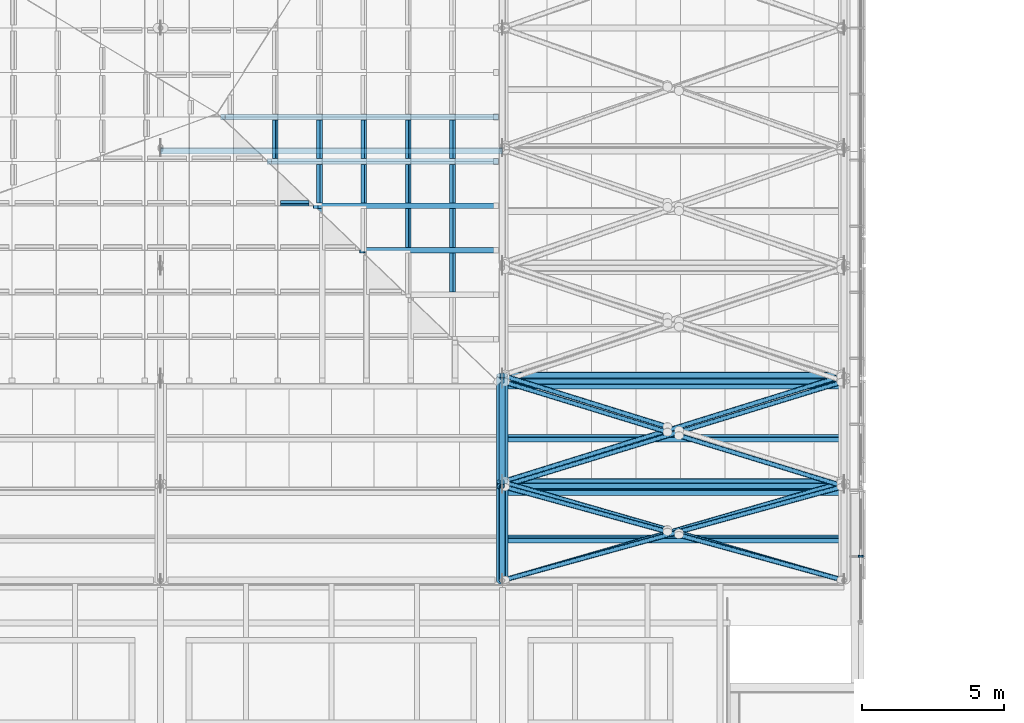
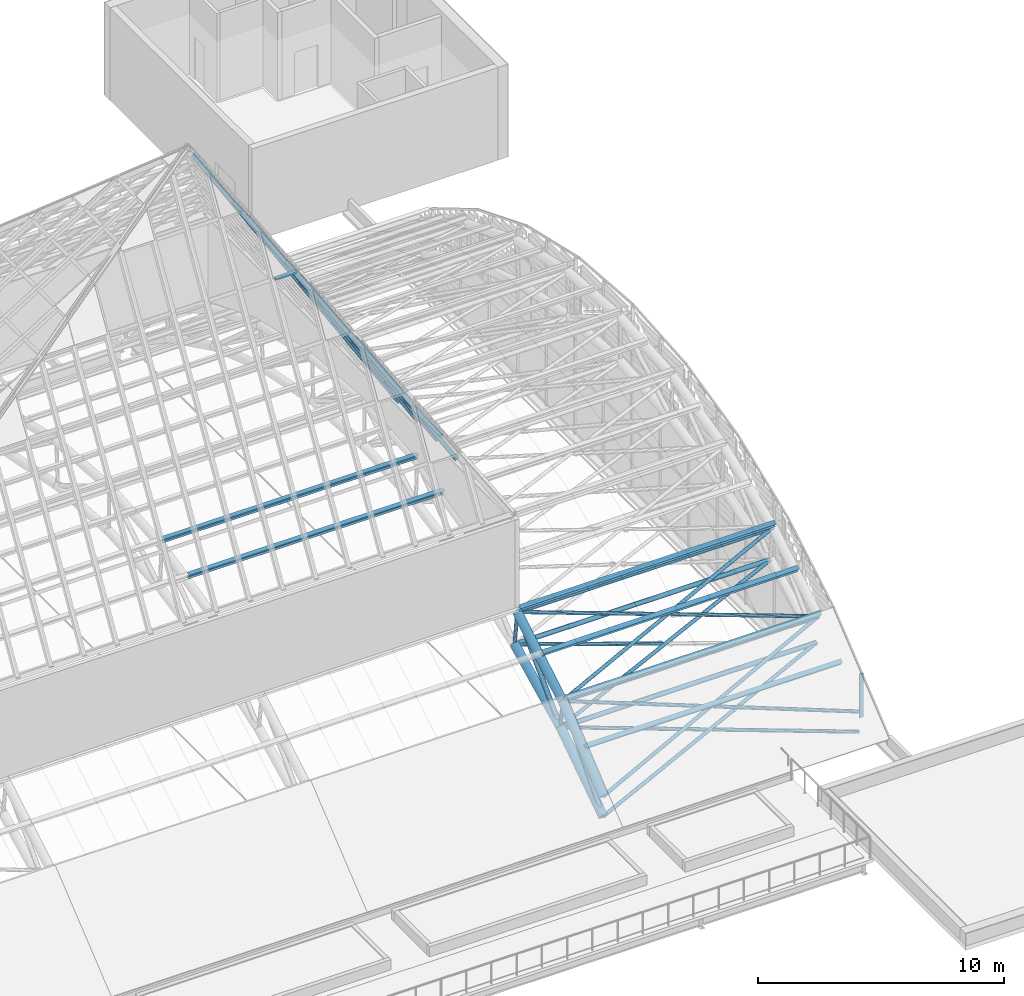
# One storey, part 29 of 110: 47 members, 1 element without a shape of its own.
"""IFC4 building model written with IfcOpenShell, lengths in metres."""

from ifc_helpers import new_model, si_unit, direction, frame, origin, origin_2d, place, context, subcontext, project, spatial, rectangle, hollow_rectangle, hollow_circle, i_section, extrude, material, layer, layer_set, material_profile, profile_set, type_object, element, aggregate, save


model = new_model("IFC4")

# Units and contexts
model_context = context("Model", 3, precision=1e-05, world=origin(), true_north=direction((0.0, 1.0)))
body_context = subcontext(model_context, "Body", "Model", "MODEL_VIEW")
ifc_project = project(units=[si_unit("LENGTHUNIT", "METRE"), si_unit("AREAUNIT", "SQUARE_METRE"), si_unit("VOLUMEUNIT", "CUBIC_METRE"), si_unit("PLANEANGLEUNIT", "RADIAN"), si_unit("MASSUNIT", "GRAM", prefix="KILO")], contexts=[model_context])

# Site, building, storey
site_placement = place(None, origin())
site = spatial("IfcSite", under=ifc_project, at=site_placement, CompositionType="ELEMENT")
building_placement = place(site_placement, origin())
building = spatial("IfcBuilding", under=site, at=building_placement, Name="Windward Yard Aquatics Centre", CompositionType="ELEMENT")
storey_placement = place(building_placement, frame((0.0, 0.0, 22.60009765625)))
storey = spatial("IfcBuildingStorey", under=building, at=storey_placement, Name="L05", CompositionType="ELEMENT", Elevation=22.60009765625)

# Curtain wall, member
ifc_material_1 = material(Name="Glass and aluminium curtain wall", Category="aluminium")
ifc_layer = layer(ifc_material_1, 0.179931640625)
ifc_layer_set = layer_set([ifc_layer], Name="H gable glazing system double glazed 8+16+8")
curtain_wall_type = type_object("IfcCurtainWallType", Name="H gable glazing system double glazed 8+16+8", PredefinedType="NOTDEFINED", material=ifc_layer_set)
curtain_wall_placement = place(storey_placement, origin())
curtain_wall = element("IfcCurtainWall", 1, at=curtain_wall_placement, inside=storey, type_object=curtain_wall_type, Name="Gable glazing E", PredefinedType="NOTDEFINED")
ifc_material_2 = material(Name="Aluminium 6063-T6 anodised", Category="aluminium")
ifc_material_profile_1 = material_profile(ifc_material_2, rectangle(XDim=0.06494140625, YDim=0.179931640625, at=origin_2d()), Name="H CW mullion 65x180")
ifc_profile_set_1 = profile_set([ifc_material_profile_1], Name="Aluminium 6063-T6 anodised")
member_type_1 = type_object("IfcMemberType", Name="H CW mullion 65x180", PredefinedType="MULLION", material=ifc_profile_set_1)
member_1_placement = place(storey_placement, frame((144.590087890625, 42.446044921875, 0.0), z_axis=(0.0, 0.0, 1.0), x_axis=(0.0, 1.0, 0.0)))
member_1 = element("IfcMember", 2, at=member_1_placement, type_object=member_type_1, Name="Gable mullion 2", PredefinedType="MULLION", context=body_context, shape_type="SweptSolid", body=[
    extrude(rectangle(XDim=0.06494140625, YDim=0.179931640625, at=origin_2d()), origin(), (0.0, 0.0, 1.0), 2.167724609375),
])
aggregate(curtain_wall, [member_1])

# Members
ifc_material_3 = material(Name="Steel ASTM A500 Gr C", Category="steel")
ifc_material_profile_2 = material_profile(ifc_material_3, hollow_circle(Radius=0.084228515625, WallThickness=0.010986328125, at=origin_2d()), Name="HSS168.3X11")
ifc_profile_set_2 = profile_set([ifc_material_profile_2], Name="Steel ASTM A500 Gr C")
member_type_2 = type_object("IfcMemberType", Name="H arch post HSS168.3X11", PredefinedType="POST", material=ifc_profile_set_2)
member_2_placement = place(storey_placement, frame((132.0, 45.064697265625, 2.319580078125), z_axis=(0.0, -0.111745510026, 0.993736857015), x_axis=(1.0, 0.0, 0.0)))
element("IfcMember", 3, at=member_2_placement, inside=storey, type_object=member_type_2, Name="H.AT.7.WP02", PredefinedType="POST", context=body_context, shape_type="SweptSolid", body=[
    extrude(hollow_circle(Radius=0.084228515625, WallThickness=0.010986328125, at=origin_2d()), origin(), (0.0, 0.0, 1.0), 1.406982421875),
])
member_3_placement = place(storey_placement, frame((132.0, 48.802734375, 4.16650390625), z_axis=(0.0, -0.121591772527, 0.992580193664), x_axis=(1.0, 0.0, 0.0)))
element("IfcMember", 4, at=member_3_placement, inside=storey, type_object=member_type_2, Name="H.AT.7.WP03", PredefinedType="POST", context=body_context, shape_type="SweptSolid", body=[
    extrude(hollow_circle(Radius=0.084228515625, WallThickness=0.010986328125, at=origin_2d()), origin(), (0.0, 0.0, 1.0), 1.746826171875),
])
ifc_material_profile_3 = material_profile(ifc_material_3, hollow_circle(Radius=0.203125, WallThickness=0.015869140625, at=origin_2d()), Name="HSS406.4X15.9")
ifc_profile_set_3 = profile_set([ifc_material_profile_3], Name="Steel ASTM A500 Gr C")
member_type_3 = type_object("IfcMemberType", Name="H arch top chord HSS406.4X15.9", PredefinedType="CHORD", material=ifc_profile_set_3)
member_4_placement = place(storey_placement, frame((132.0, 41.60009765625, 1.0), z_axis=(0.0, 0.772611352747, 0.634879277979), x_axis=(-1.0, 0.0, 0.0)))
element("IfcMember", 5, at=member_4_placement, inside=storey, type_object=member_type_3, Name="H.AT.7.TC01", PredefinedType="CHORD", context=body_context, shape_type="SweptSolid", body=[
    extrude(hollow_circle(Radius=0.203125, WallThickness=0.015869140625, at=origin_2d()), origin(), (0.0, 0.0, 1.0), 4.28076171875),
])
member_5_placement = place(storey_placement, frame((132.0, 41.60009765625, 0.0), z_axis=(0.0, 0.83095865789, 0.556334170151), x_axis=(-1.0, 0.0, 0.0)))
element("IfcMember", 6, at=member_5_placement, inside=storey, type_object=member_type_3, Name="H.AT.7.BC01", PredefinedType="CHORD", context=body_context, shape_type="SweptSolid", body=[
    extrude(hollow_circle(Radius=0.203125, WallThickness=0.015869140625, at=origin_2d()), origin(), (0.0, 0.0, 1.0), 4.16943359375),
])
member_6_placement = place(storey_placement, frame((132.0, 44.907470703125, 3.7177734375), z_axis=(0.0, 0.860273006082, 0.509833654251), x_axis=(-1.0, 0.0, 0.0)))
element("IfcMember", 7, at=member_6_placement, inside=storey, type_object=member_type_3, Name="H.AT.7.TC02", PredefinedType="CHORD", context=body_context, shape_type="SweptSolid", body=[
    extrude(hollow_circle(Radius=0.203125, WallThickness=0.015869140625, at=origin_2d()), origin(), (0.0, 0.0, 1.0), 4.281005859375),
])
member_7_placement = place(storey_placement, frame((132.0, 45.064697265625, 2.319580078125), z_axis=(0.0, 0.896536837976, 0.4429691842), x_axis=(-1.0, 0.0, 0.0)))
element("IfcMember", 8, at=member_7_placement, inside=storey, type_object=member_type_3, Name="H.AT.7.BC02", PredefinedType="CHORD", context=body_context, shape_type="SweptSolid", body=[
    extrude(hollow_circle(Radius=0.203125, WallThickness=0.015869140625, at=origin_2d()), origin(), (0.0, 0.0, 1.0), 4.16943359375),
])
ifc_material_profile_4 = material_profile(ifc_material_3, hollow_circle(Radius=0.109619140625, WallThickness=0.00830078125, at=origin_2d()), Name="HSS219.1X8.2")
ifc_profile_set_4 = profile_set([ifc_material_profile_4], Name="Steel ASTM A500 Gr C")
member_type_4 = type_object("IfcMemberType", Name="H arch web diagonal HSS219.1X8.2", PredefinedType="BRACE", material=ifc_profile_set_4)
member_8_placement = place(storey_placement, frame((132.0, 41.60009765625, 0.0), z_axis=(0.0, 0.664665272452, 0.747141268835), x_axis=(-1.0, 0.0, 0.0)))
element("IfcMember", 9, at=member_8_placement, inside=storey, type_object=member_type_4, Name="H.AT.7.WD01", PredefinedType="BRACE", context=body_context, shape_type="SweptSolid", body=[
    extrude(hollow_circle(Radius=0.109619140625, WallThickness=0.00830078125, at=origin_2d()), origin(), (0.0, 0.0, 1.0), 4.97607421875),
])
member_9_placement = place(storey_placement, frame((132.0, 45.064697265625, 2.319580078125), z_axis=(0.0, 0.701595524129, 0.712575413919), x_axis=(-1.0, 0.0, 0.0)))
element("IfcMember", 10, at=member_9_placement, inside=storey, type_object=member_type_4, Name="H.AT.7.WD02", PredefinedType="BRACE", context=body_context, shape_type="SweptSolid", body=[
    extrude(hollow_circle(Radius=0.109619140625, WallThickness=0.00830078125, at=origin_2d()), origin(), (0.0, 0.0, 1.0), 5.025146484375),
])
ifc_material_profile_5 = material_profile(ifc_material_3, hollow_rectangle(XDim=0.15234375, YDim=0.15234375, WallThickness=0.009521484375, InnerFilletRadius=0.004638671875, OuterFilletRadius=0.01416015625, at=origin_2d()), Name="HSS152X152X9.5")
ifc_profile_set_5 = profile_set([ifc_material_profile_5], Name="Steel ASTM A500 Gr C")
member_type_5 = type_object("IfcMemberType", Name="H lantern purlin HSS152X152X9.5", PredefinedType="PURLIN", material=ifc_profile_set_5)
member_10_placement = place(storey_placement, frame((125.20947265625, 54.851806640625, 21.3662109375), z_axis=(-1.0, 0.0, 0.0), x_axis=(0.0, -0.51011965155, -0.860103447908)))
element("IfcMember", 11, at=member_10_placement, inside=storey, type_object=member_type_5, Name="H.LN.U.01.04.01", PredefinedType="PURLIN", context=body_context, shape_type="SweptSolid", body=[
    extrude(hollow_rectangle(XDim=0.15234375, YDim=0.15234375, WallThickness=0.009521484375, InnerFilletRadius=0.004638671875, OuterFilletRadius=0.01416015625, at=origin_2d()), origin(), (0.0, 0.0, 1.0), 0.990478515625),
])
member_11_placement = place(storey_placement, frame((130.248046875, 57.77587890625, 13.350830078125), z_axis=(0.0, -1.0, 0.0), x_axis=(0.526172366974, 0.0, -0.850377939644)))
element("IfcMember", 12, at=member_11_placement, inside=storey, type_object=member_type_5, Name="H.LN.U.02.01.10", PredefinedType="PURLIN", context=body_context, shape_type="SweptSolid", body=[
    extrude(hollow_rectangle(XDim=0.15234375, YDim=0.15234375, WallThickness=0.009521484375, InnerFilletRadius=0.004638671875, OuterFilletRadius=0.01416015625, at=origin_2d()), origin(), (0.0, 0.0, 1.0), 1.357666015625),
])
member_12_placement = place(storey_placement, frame((130.248046875, 56.21484375, 13.350830078125), z_axis=(0.0, -1.0, 0.0), x_axis=(0.526172366974, 0.0, -0.850377939644)))
element("IfcMember", 13, at=member_12_placement, inside=storey, type_object=member_type_5, Name="H.LN.U.02.01.11", PredefinedType="PURLIN", context=body_context, shape_type="SweptSolid", body=[
    extrude(hollow_rectangle(XDim=0.15234375, YDim=0.15234375, WallThickness=0.009521484375, InnerFilletRadius=0.004638671875, OuterFilletRadius=0.01416015625, at=origin_2d()), origin(), (0.0, 0.0, 1.0), 1.35791015625),
])
member_13_placement = place(storey_placement, frame((130.248046875, 54.65380859375, 13.350830078125), z_axis=(0.0, -1.0, 0.0), x_axis=(0.526172366974, 0.0, -0.850377939644)))
element("IfcMember", 14, at=member_13_placement, inside=storey, type_object=member_type_5, Name="H.LN.U.02.01.12", PredefinedType="PURLIN", context=body_context, shape_type="SweptSolid", body=[
    extrude(hollow_rectangle(XDim=0.15234375, YDim=0.15234375, WallThickness=0.009521484375, InnerFilletRadius=0.004638671875, OuterFilletRadius=0.01416015625, at=origin_2d()), origin(), (0.0, 0.0, 1.0), 1.358154296875),
])
member_14_placement = place(storey_placement, frame((130.248046875, 53.092529296875, 13.350830078125), z_axis=(0.0, -1.0, 0.0), x_axis=(0.526172366974, 0.0, -0.850377939644)))
element("IfcMember", 15, at=member_14_placement, inside=storey, type_object=member_type_5, Name="H.LN.U.02.01.13", PredefinedType="PURLIN", context=body_context, shape_type="SweptSolid", body=[
    extrude(hollow_rectangle(XDim=0.15234375, YDim=0.15234375, WallThickness=0.009521484375, InnerFilletRadius=0.004638671875, OuterFilletRadius=0.01416015625, at=origin_2d()), origin(), (0.0, 0.0, 1.0), 1.35791015625),
])
member_15_placement = place(storey_placement, frame((128.69140625, 57.77587890625, 15.866455078125), z_axis=(0.0, -1.0, 0.0), x_axis=(0.526172366974, 0.0, -0.850377939644)))
element("IfcMember", 16, at=member_15_placement, inside=storey, type_object=member_type_5, Name="H.LN.U.02.02.08", PredefinedType="PURLIN", context=body_context, shape_type="SweptSolid", body=[
    extrude(hollow_rectangle(XDim=0.15234375, YDim=0.15234375, WallThickness=0.009521484375, InnerFilletRadius=0.004638671875, OuterFilletRadius=0.01416015625, at=origin_2d()), origin(), (0.0, 0.0, 1.0), 1.357666015625),
])
member_16_placement = place(storey_placement, frame((128.69140625, 56.21484375, 15.866455078125), z_axis=(0.0, -1.0, 0.0), x_axis=(0.526172366974, 0.0, -0.850377939644)))
element("IfcMember", 17, at=member_16_placement, inside=storey, type_object=member_type_5, Name="H.LN.U.02.02.09", PredefinedType="PURLIN", context=body_context, shape_type="SweptSolid", body=[
    extrude(hollow_rectangle(XDim=0.15234375, YDim=0.15234375, WallThickness=0.009521484375, InnerFilletRadius=0.004638671875, OuterFilletRadius=0.01416015625, at=origin_2d()), origin(), (0.0, 0.0, 1.0), 1.35791015625),
])
member_17_placement = place(storey_placement, frame((128.69140625, 54.65380859375, 15.866455078125), z_axis=(0.0, -1.0, 0.0), x_axis=(0.526172366974, 0.0, -0.850377939644)))
element("IfcMember", 18, at=member_17_placement, inside=storey, type_object=member_type_5, Name="H.LN.U.02.02.10", PredefinedType="PURLIN", context=body_context, shape_type="SweptSolid", body=[
    extrude(hollow_rectangle(XDim=0.15234375, YDim=0.15234375, WallThickness=0.009521484375, InnerFilletRadius=0.004638671875, OuterFilletRadius=0.01416015625, at=origin_2d()), origin(), (0.0, 0.0, 1.0), 1.358154296875),
])
member_18_placement = place(storey_placement, frame((127.135009765625, 57.77587890625, 18.382080078125), z_axis=(0.0, -1.0, 0.0), x_axis=(0.526172366974, 0.0, -0.850377939644)))
element("IfcMember", 19, at=member_18_placement, inside=storey, type_object=member_type_5, Name="H.LN.U.02.03.07", PredefinedType="PURLIN", context=body_context, shape_type="SweptSolid", body=[
    extrude(hollow_rectangle(XDim=0.15234375, YDim=0.15234375, WallThickness=0.009521484375, InnerFilletRadius=0.004638671875, OuterFilletRadius=0.01416015625, at=origin_2d()), origin(), (0.0, 0.0, 1.0), 1.357666015625),
])
member_19_placement = place(storey_placement, frame((127.135009765625, 56.21484375, 18.382080078125), z_axis=(0.0, -1.0, 0.0), x_axis=(0.526172366974, 0.0, -0.850377939644)))
element("IfcMember", 20, at=member_19_placement, inside=storey, type_object=member_type_5, Name="H.LN.U.02.03.08", PredefinedType="PURLIN", context=body_context, shape_type="SweptSolid", body=[
    extrude(hollow_rectangle(XDim=0.15234375, YDim=0.15234375, WallThickness=0.009521484375, InnerFilletRadius=0.004638671875, OuterFilletRadius=0.01416015625, at=origin_2d()), origin(), (0.0, 0.0, 1.0), 1.35791015625),
])
member_20_placement = place(storey_placement, frame((125.57861328125, 57.77587890625, 20.897705078125), z_axis=(0.0, -1.0, 0.0), x_axis=(0.526172366974, 0.0, -0.850377939644)))
element("IfcMember", 21, at=member_20_placement, inside=storey, type_object=member_type_5, Name="H.LN.U.02.04.05", PredefinedType="PURLIN", context=body_context, shape_type="SweptSolid", body=[
    extrude(hollow_rectangle(XDim=0.15234375, YDim=0.15234375, WallThickness=0.009521484375, InnerFilletRadius=0.004638671875, OuterFilletRadius=0.01416015625, at=origin_2d()), origin(), (0.0, 0.0, 1.0), 1.357666015625),
])
member_21_placement = place(storey_placement, frame((125.57861328125, 56.21484375, 20.897705078125), z_axis=(0.0, -1.0, 0.0), x_axis=(0.526172366974, 0.0, -0.850377939644)))
element("IfcMember", 22, at=member_21_placement, inside=storey, type_object=member_type_5, Name="H.LN.U.02.04.06", PredefinedType="PURLIN", context=body_context, shape_type="SweptSolid", body=[
    extrude(hollow_rectangle(XDim=0.15234375, YDim=0.15234375, WallThickness=0.009521484375, InnerFilletRadius=0.004638671875, OuterFilletRadius=0.01416015625, at=origin_2d()), origin(), (0.0, 0.0, 1.0), 1.35791015625),
])
member_22_placement = place(storey_placement, frame((124.02197265625, 57.77587890625, 23.4130859375), z_axis=(0.0, -1.0, 0.0), x_axis=(0.526172366974, 0.0, -0.850377939644)))
element("IfcMember", 23, at=member_22_placement, inside=storey, type_object=member_type_5, Name="H.LN.U.02.05.04", PredefinedType="PURLIN", context=body_context, shape_type="SweptSolid", body=[
    extrude(hollow_rectangle(XDim=0.15234375, YDim=0.15234375, WallThickness=0.009521484375, InnerFilletRadius=0.004638671875, OuterFilletRadius=0.01416015625, at=origin_2d()), origin(), (0.0, 0.0, 1.0), 1.357666015625),
])
ifc_material_profile_6 = material_profile(ifc_material_3, hollow_rectangle(XDim=0.203125, YDim=0.203125, WallThickness=0.009521484375, InnerFilletRadius=0.004638671875, OuterFilletRadius=0.01416015625, at=origin_2d()), Name="HSS203X203X9.5")
ifc_profile_set_6 = profile_set([ifc_material_profile_6], Name="Steel ASTM A500 Gr C")
member_type_6 = type_object("IfcMemberType", Name="H lantern rafter HSS203X203X9.5", PredefinedType="RAFTER", material=ifc_profile_set_6)
member_23_placement = place(storey_placement, frame((131.782958984375, 57.877685546875, 10.82177734375), z_axis=(-0.526172115663, 0.0, 0.850378095143), x_axis=(0.0, -1.0, 0.0)))
element("IfcMember", 24, at=member_23_placement, inside=storey, type_object=member_type_6, Name="H.LN.R.02.10", PredefinedType="RAFTER", context=body_context, shape_type="SweptSolid", body=[
    extrude(hollow_rectangle(XDim=0.203125, YDim=0.203125, WallThickness=0.009521484375, InnerFilletRadius=0.004638671875, OuterFilletRadius=0.01416015625, at=origin_2d()), origin(), (0.0, 0.0, 1.0), 18.23876953125),
])
member_24_placement = place(storey_placement, frame((131.782958984375, 56.31640625, 10.82177734375), z_axis=(-0.526164782178, 0.0, 0.850382632699), x_axis=(0.0, -1.0, 0.0)))
element("IfcMember", 25, at=member_24_placement, inside=storey, type_object=member_type_6, Name="H.LN.R.02.11", PredefinedType="RAFTER", context=body_context, shape_type="SweptSolid", body=[
    extrude(hollow_rectangle(XDim=0.203125, YDim=0.203125, WallThickness=0.009521484375, InnerFilletRadius=0.004638671875, OuterFilletRadius=0.01416015625, at=origin_2d()), origin(), (0.0, 0.0, 1.0), 15.14306640625),
])
member_25_placement = place(storey_placement, frame((131.782958984375, 54.75537109375, 10.82177734375), z_axis=(-0.526168334479, 0.0, 0.850380434742), x_axis=(0.0, -1.0, 0.0)))
element("IfcMember", 26, at=member_25_placement, inside=storey, type_object=member_type_6, Name="H.LN.R.02.12", PredefinedType="RAFTER", context=body_context, shape_type="SweptSolid", body=[
    extrude(hollow_rectangle(XDim=0.203125, YDim=0.203125, WallThickness=0.009521484375, InnerFilletRadius=0.004638671875, OuterFilletRadius=0.01416015625, at=origin_2d()), origin(), (0.0, 0.0, 1.0), 12.047607421875),
])
member_26_placement = place(storey_placement, frame((131.782958984375, 53.194091796875, 10.82177734375), z_axis=(-0.526162141061, 0.0, 0.850384266855), x_axis=(0.0, -1.0, 0.0)))
element("IfcMember", 27, at=member_26_placement, inside=storey, type_object=member_type_6, Name="H.LN.R.02.13", PredefinedType="RAFTER", context=body_context, shape_type="SweptSolid", body=[
    extrude(hollow_rectangle(XDim=0.203125, YDim=0.203125, WallThickness=0.009521484375, InnerFilletRadius=0.004638671875, OuterFilletRadius=0.01416015625, at=origin_2d()), origin(), (0.0, 0.0, 1.0), 8.952392578125),
])
ifc_material_profile_7 = material_profile(ifc_material_3, hollow_circle(Radius=0.084228515625, WallThickness=0.007080078125, at=origin_2d()), Name="HSS168.3X7.1")
ifc_profile_set_7 = profile_set([ifc_material_profile_7], Name="Steel ASTM A500 Gr C")
member_type_7 = type_object("IfcMemberType", Name="H roof brace HSS168.3X7.1", PredefinedType="BRACE", material=ifc_profile_set_7)
member_27_placement = place(storey_placement, frame((132.0, 41.60009765625, 1.0), z_axis=(0.941864717314, 0.259591498321, 0.21331457587), x_axis=(-0.265707128431, 0.964053796165, 0.0)))
element("IfcMember", 28, at=member_27_placement, inside=storey, type_object=member_type_7, Name="H.RB.7.T01A", PredefinedType="BRACE", context=body_context, shape_type="SweptSolid", body=[
    extrude(hollow_circle(Radius=0.084228515625, WallThickness=0.007080078125, at=origin_2d()), origin(), (0.0, 0.0, 1.0), 12.74072265625),
])
for number, where, z_axis, x_axis, name in (
    (29, (132.0, 44.907470703125, 3.7177734375), (0.941869878375, -0.259579962752, -0.213305825397), (0.265694801521, 0.964057193555, 0.0), "H.RB.7.T01B1"),
    (30, (138.1064453125, 43.224365234375, 2.334716796875), (0.941869878375, -0.259579962752, -0.213305825397), (0.265694801521, 0.964057193555, 0.0), "H.RB.7.T01B2"),
):
    element("IfcMember", number, at=place(storey_placement, frame(where, z_axis=z_axis, x_axis=x_axis)), inside=storey, type_object=member_type_7, Name=name, PredefinedType="BRACE", context=body_context, shape_type="SweptSolid", body=[
        extrude(hollow_circle(Radius=0.084228515625, WallThickness=0.007080078125, at=origin_2d()), origin(), (0.0, 0.0, 1.0), 6.25732421875),
    ])
member_28_placement = place(storey_placement, frame((132.0, 44.907470703125, 3.7177734375), z_axis=(0.941858113102, 0.289061068444, 0.171309642154), x_axis=(-0.293398305701, 0.955990289811, 0.0)))
element("IfcMember", 31, at=member_28_placement, inside=storey, type_object=member_type_7, Name="H.RB.7.T02A", PredefinedType="BRACE", context=body_context, shape_type="SweptSolid", body=[
    extrude(hollow_circle(Radius=0.084228515625, WallThickness=0.007080078125, at=origin_2d()), origin(), (0.0, 0.0, 1.0), 12.74072265625),
])
for number, where, z_axis, x_axis, name in (
    (32, (132.0, 48.59033203125, 5.900390625), (0.941852913736, -0.28907159229, -0.171320469934), (0.293409548172, 0.955986839366, 0.0), "H.RB.7.T02B1"),
    (33, (138.1064453125, 46.71630859375, 4.789794921875), (0.941852913736, -0.28907159229, -0.171320469934), (0.293409548172, 0.955986839366, 0.0), "H.RB.7.T02B2"),
):
    element("IfcMember", number, at=place(storey_placement, frame(where, z_axis=z_axis, x_axis=x_axis)), inside=storey, type_object=member_type_7, Name=name, PredefinedType="BRACE", context=body_context, shape_type="SweptSolid", body=[
        extrude(hollow_circle(Radius=0.084228515625, WallThickness=0.007080078125, at=origin_2d()), origin(), (0.0, 0.0, 1.0), 6.25732421875),
    ])
member_29_placement = place(storey_placement, frame((132.0, 41.60009765625, 0.0), z_axis=(0.944606957166, 0.272723741234, 0.182590956625), x_axis=(-0.277386901916, 0.960758297724, 0.0)))
element("IfcMember", 34, at=member_29_placement, inside=storey, type_object=member_type_7, Name="H.RB.7.B01A", PredefinedType="BRACE", context=body_context, shape_type="SweptSolid", body=[
    extrude(hollow_circle(Radius=0.084228515625, WallThickness=0.007080078125, at=origin_2d()), origin(), (0.0, 0.0, 1.0), 12.70361328125),
])
for number, where, z_axis, x_axis, name in (
    (35, (132.0, 45.064697265625, 2.319580078125), (0.944597774459, -0.272754173353, -0.182593004811), (0.277417961706, 0.960749329702, 0.0), "H.RB.7.B01B1"),
    (36, (138.109375, 43.30078125, 1.138671875), (0.944607860476, -0.272717935845, -0.182594954462), (0.27738120673, 0.960759942001, 0.0), "H.RB.7.B01B2"),
):
    element("IfcMember", number, at=place(storey_placement, frame(where, z_axis=z_axis, x_axis=x_axis)), inside=storey, type_object=member_type_7, Name=name, PredefinedType="BRACE", context=body_context, shape_type="SweptSolid", body=[
        extrude(hollow_circle(Radius=0.084228515625, WallThickness=0.007080078125, at=origin_2d()), origin(), (0.0, 0.0, 1.0), 6.236083984375),
    ])
member_30_placement = place(storey_placement, frame((132.0, 45.064697265625, 2.319580078125), z_axis=(0.944606527351, 0.294247854416, 0.145384691964), x_axis=(-0.297407751548, 0.95475055869, 0.0)))
element("IfcMember", 37, at=member_30_placement, inside=storey, type_object=member_type_7, Name="H.RB.7.B02A", PredefinedType="BRACE", context=body_context, shape_type="SweptSolid", body=[
    extrude(hollow_circle(Radius=0.084228515625, WallThickness=0.007080078125, at=origin_2d()), origin(), (0.0, 0.0, 1.0), 12.70361328125),
])
member_31_placement = place(storey_placement, frame((132.0, 48.802734375, 4.16650390625), z_axis=(0.944608893491, -0.29425068151, -0.145363595057), x_axis=(0.297409677169, 0.954749958851, 0.0)))
element("IfcMember", 38, at=member_31_placement, inside=storey, type_object=member_type_7, Name="H.RB.7.B02B1", PredefinedType="BRACE", context=body_context, shape_type="SweptSolid", body=[
    extrude(hollow_circle(Radius=0.084228515625, WallThickness=0.007080078125, at=origin_2d()), origin(), (0.0, 0.0, 1.0), 6.236083984375),
])
ifc_material_4 = material(Name="Steel ASTM A992 Gr 50", Category="steel")
ifc_material_profile_8 = material_profile(ifc_material_4, i_section(OverallWidth=0.202880859375, OverallDepth=0.202880859375, WebThickness=0.00732421875, FlangeThickness=0.010986328125, at=origin_2d()), Name="W200X46.1")
ifc_profile_set_8 = profile_set([ifc_material_profile_8], Name="Steel ASTM A992 Gr 50")
member_type_8 = type_object("IfcMemberType", Name="H roof purlin W200X46.1", PredefinedType="PURLIN", material=ifc_profile_set_8)
for number, where, z_axis, x_axis, name in (
    (39, (120.0, 54.577880859375, 8.280029296875), (1.0, 0.0, 0.0), (0.0, 0.973829299376, 0.227280653986), "H.PU.6.08"),
    (40, (120.0, 56.68505859375, 8.77099609375), (1.0, 0.0, 0.0), (0.0, 0.988340215831, 0.152261675321), "H.PU.6.09"),
    (41, (132.0, 43.060302734375, 2.59423828125), (1.0, 0.0, 0.0), (0.0, 0.772610863417, 0.634879873464), "H.PU.7.02"),
    (42, (132.0, 44.732666015625, 3.96728515625), (1.0, 0.0, 0.0), (0.0, 0.818830898872, 0.574034806481), "H.PU.7.03"),
    (43, (132.0, 46.593505859375, 5.0712890625), (1.0, 0.0, 0.0), (0.0, 0.860270260664, 0.509838286732), "H.PU.7.04"),
    (44, (132.0, 48.45556640625, 6.173583984375), (1.0, 0.0, 0.0), (0.0, 0.896687008655, 0.44266512005), "H.PU.7.05"),
):
    element("IfcMember", number, at=place(storey_placement, frame(where, z_axis=z_axis, x_axis=x_axis)), inside=storey, type_object=member_type_8, Name=name, PredefinedType="PURLIN", context=body_context, shape_type="SweptSolid", body=[
        extrude(i_section(OverallWidth=0.202880859375, OverallDepth=0.202880859375, WebThickness=0.00732421875, FlangeThickness=0.010986328125, at=origin_2d()), origin(), (0.0, 0.0, 1.0), 12.0),
    ])
ifc_material_profile_9 = material_profile(ifc_material_3, hollow_circle(Radius=0.109619140625, WallThickness=0.00830078125, at=origin_2d()), Name="HSS219.1X8.2")
ifc_profile_set_9 = profile_set([ifc_material_profile_9], Name="Steel ASTM A500 Gr C")
member_type_9 = type_object("IfcMemberType", Name="H roof strut HSS219.1X8.2", PredefinedType="STRUT", material=ifc_profile_set_9)
for number, where, z_axis, x_axis, name in (
    (45, (132.0, 44.907470703125, 3.7177734375), (1.0, 0.0, 0.0), (0.0, 1.0, 0.0), "H.RS.7.T02"),
    (46, (132.0, 48.59033203125, 5.900390625), (1.0, 0.0, 0.0), (0.0, 1.0, 0.0), "H.RS.7.T03"),
    (47, (132.0, 45.064697265625, 2.319580078125), (1.0, 0.0, 0.0), (0.0, 1.0, 0.0), "H.RS.7.B02"),
    (48, (132.0, 48.802734375, 4.16650390625), (1.0, 0.0, 0.0), (0.0, 1.0, 0.0), "H.RS.7.B03"),
):
    element("IfcMember", number, at=place(storey_placement, frame(where, z_axis=z_axis, x_axis=x_axis)), inside=storey, type_object=member_type_9, Name=name, PredefinedType="STRUT", context=body_context, shape_type="SweptSolid", body=[
        extrude(hollow_circle(Radius=0.109619140625, WallThickness=0.00830078125, at=origin_2d()), origin(), (0.0, 0.0, 1.0), 12.0),
    ])

save(model, "model.ifc")
